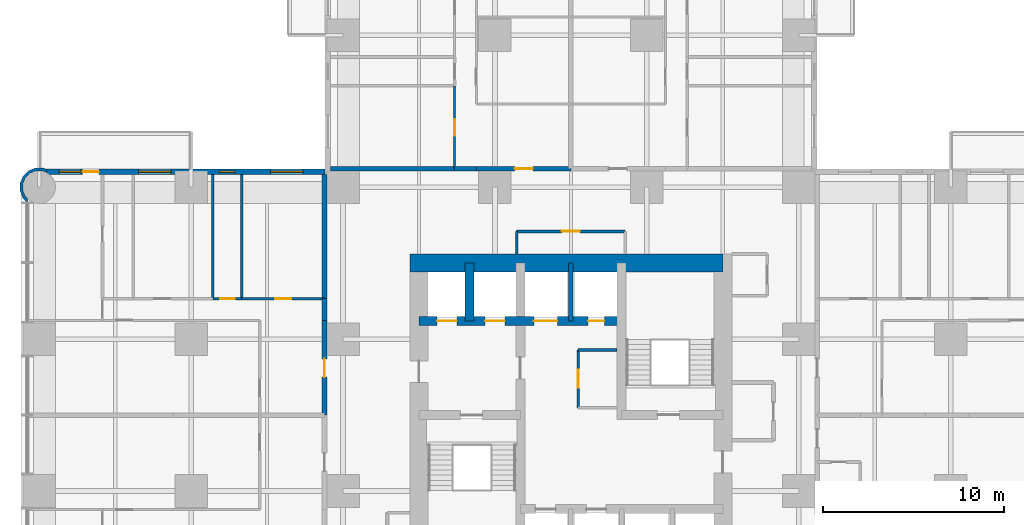
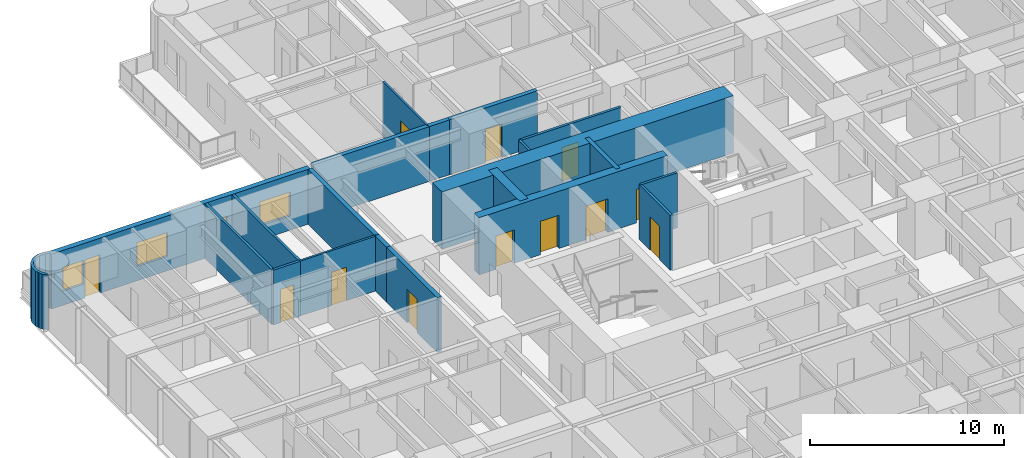
# One storey, part 12 of 17: 21 walls, 12 doors, 4 windows, 16 openings.
"""IFC4 building model written with IfcOpenShell, lengths in metres."""

from ifc_helpers import new_model, si_unit, direction, frame, frame_2d, origin, place, context, subcontext, project, spatial, polyline, rectangle, outline, extrude, material, layer, layer_set, type_object, element, fill, save


model = new_model("IFC4")

# Units and contexts
model_context = context("Model", 3, precision=1e-05, world=origin(), true_north=direction((0.0, 1.0)))
body_context = subcontext(model_context, "Body", "Model", "MODEL_VIEW")
ifc_project = project(units=[si_unit("LENGTHUNIT", "METRE"), si_unit("AREAUNIT", "SQUARE_METRE"), si_unit("VOLUMEUNIT", "CUBIC_METRE"), si_unit("PLANEANGLEUNIT", "RADIAN"), si_unit("MASSUNIT", "GRAM", prefix="KILO")], contexts=[model_context])

# Site, building, storey
site_placement = place(None, origin())
site = spatial("IfcSite", under=ifc_project, at=site_placement, CompositionType="ELEMENT")
building_placement = place(site_placement, origin())
building = spatial("IfcBuilding", under=site, at=building_placement, Name="Torre Alcanfor", CompositionType="ELEMENT")
storey_placement = place(building_placement, frame((0.0, 0.0, 56.10009765625)))
storey = spatial("IfcBuildingStorey", under=building, at=storey_placement, Name="L13", CompositionType="ELEMENT", Elevation=56.10009765625)

# Wall, opening, door
ifc_material_1 = material(Name="Concrete block masonry, hollow blocks NMX-C-404 9 MPa", Category="masonry")
ifc_layer_1 = layer(ifc_material_1, 0.25)
ifc_layer_set_1 = layer_set([ifc_layer_1], Name="Apartment entrance wall 250 EI 60")
wall_type_1 = type_object("IfcWallType", Name="Apartment entrance wall 250 EI 60", PredefinedType="PARTITIONING", material=ifc_layer_set_1)
wall_1_placement = place(storey_placement, frame((24.1708984375, 43.02490234375, 0.0), z_axis=(0.0, 0.0, 1.0), x_axis=(1.0, 0.0, 0.0)))
wall_1 = element("IfcWall", 1, at=wall_1_placement, inside=storey, type_object=wall_type_1, Name="Partition L13-CORR / L13-N1-ZAG", PredefinedType="PARTITIONING", context=body_context, shape_type="SweptSolid", body=[
    extrude(rectangle(XDim=5.22900390625, YDim=0.25, at=frame_2d((2.614501953125, 0.0))), origin(), (0.0, 0.0, 1.0), 3.449951171875),
])
opening_1_placement = place(wall_1_placement, frame((2.12890625, 0.0, 0.0)))
opening_1 = element("IfcOpeningElement", 2, at=opening_1_placement, cuts=wall_1, Name="Opening D-A1", PredefinedType="OPENING", context=body_context, shape_type="SweptSolid", body=[
    extrude(rectangle(XDim=1.0, YDim=2.10009765625, at=frame_2d((0.5, 1.050048828125))), frame((0.0, 0.135009765625, 0.0), z_axis=(0.0, -1.0, 0.0), x_axis=(1.0, 0.0, 0.0)), (0.0, 0.0, 1.0), 0.27001953125),
])
ifc_material_2 = material(Name="Galvanised steel sheet ASTM A653", Category="steel")
door_type_1 = type_object("IfcDoorType", Name="Apartment entrance door FD60 1000x2100", OperationType="SINGLE_SWING_LEFT", PredefinedType="DOOR", material=ifc_material_2)
door_1_placement = place(opening_1_placement, origin())
door_1 = element("IfcDoor", 3, at=door_1_placement, inside=storey, type_object=door_type_1, Name="Apartment entrance L13-N1", OperationType="SINGLE_SWING_RIGHT", OverallHeight=2.10009765625, OverallWidth=1.0, PredefinedType="DOOR", context=body_context, shape_type="SweptSolid", body=[
    extrude(rectangle(XDim=1.0, YDim=2.10009765625, at=frame_2d((0.5, 1.050048828125))), frame((0.0, 0.02490234375, 0.0), z_axis=(0.0, -1.0, 0.0), x_axis=(1.0, 0.0, 0.0)), (0.0, 0.0, 1.0), 0.050048828125),
])
fill(opening_1, door_1)

# Walls
wall_2_placement = place(storey_placement, frame((22.970947265625, 43.02490234375, 0.0), z_axis=(0.0, 0.0, 1.0), x_axis=(1.0, 0.0, 0.0)))
element("IfcWall", 4, at=wall_2_placement, inside=storey, type_object=wall_type_1, Name="Partition L13-CORR / L13-N1-HALL", PredefinedType="PARTITIONING", context=body_context, shape_type="SweptSolid", body=[
    extrude(rectangle(XDim=1.199951171875, YDim=0.25, at=frame_2d((0.60009765625, 0.0))), origin(), (0.0, 0.0, 1.0), 3.449951171875),
])
wall_3_placement = place(storey_placement, frame((16.10009765625, 43.02490234375, 0.0), z_axis=(0.0, 0.0, 1.0), x_axis=(1.0, 0.0, 0.0)))
element("IfcWall", 5, at=wall_3_placement, inside=storey, type_object=wall_type_1, Name="Partition L13-CORR / L13-N1-BED2", PredefinedType="PARTITIONING", context=body_context, shape_type="SweptSolid", body=[
    extrude(rectangle(XDim=6.870849609375, YDim=0.25, at=frame_2d((3.435546875, 0.0))), origin(), (0.0, 0.0, 1.0), 3.449951171875),
])

# Wall, opening, door
wall_4_placement = place(storey_placement, frame((15.77490234375, 29.39990234375, 0.0), z_axis=(0.0, 0.0, 1.0), x_axis=(0.0, 1.0, 0.0)))
wall_4 = element("IfcWall", 6, at=wall_4_placement, inside=storey, type_object=wall_type_1, Name="Partition L13-CORR / L13-W2-ZAG", PredefinedType="PARTITIONING", context=body_context, shape_type="SweptSolid", body=[
    extrude(rectangle(XDim=5.22900390625, YDim=0.25, at=frame_2d((2.614501953125, 0.0))), origin(), (0.0, 0.0, 1.0), 3.449951171875),
])
opening_2_placement = place(wall_4_placement, frame((2.10009765625, 0.0, 0.0)))
opening_2 = element("IfcOpeningElement", 7, at=opening_2_placement, cuts=wall_4, Name="Opening D-A1", PredefinedType="OPENING", context=body_context, shape_type="SweptSolid", body=[
    extrude(rectangle(XDim=1.0, YDim=2.10009765625, at=frame_2d((0.5, 1.050048828125))), frame((0.0, 0.135009765625, 0.0), z_axis=(0.0, -1.0, 0.0), x_axis=(1.0, 0.0, 0.0)), (0.0, 0.0, 1.0), 0.27001953125),
])
door_2_placement = place(opening_2_placement, origin())
door_2 = element("IfcDoor", 8, at=door_2_placement, inside=storey, type_object=door_type_1, Name="Apartment entrance L13-W2", OperationType="SINGLE_SWING_LEFT", OverallHeight=2.10009765625, OverallWidth=1.0, PredefinedType="DOOR", context=body_context, shape_type="SweptSolid", body=[
    extrude(rectangle(XDim=1.0, YDim=2.10009765625, at=frame_2d((0.5, 1.050048828125))), frame((0.0, 0.02490234375, 0.0), z_axis=(0.0, -1.0, 0.0), x_axis=(1.0, 0.0, 0.0)), (0.0, 0.0, 1.0), 0.050048828125),
])
fill(opening_2, door_2)

# Walls
wall_5_placement = place(storey_placement, frame((15.77490234375, 34.62890625, 0.0), z_axis=(0.0, 0.0, 1.0), x_axis=(0.0, 1.0, 0.0)))
element("IfcWall", 9, at=wall_5_placement, inside=storey, type_object=wall_type_1, Name="Partition L13-CORR / L13-W2-HALL", PredefinedType="PARTITIONING", context=body_context, shape_type="SweptSolid", body=[
    extrude(rectangle(XDim=1.2001953125, YDim=0.25, at=frame_2d((0.60009765625, 0.0))), origin(), (0.0, 0.0, 1.0), 3.449951171875),
])
wall_6_placement = place(storey_placement, frame((15.77490234375, 35.8291015625, 0.0), z_axis=(0.0, 0.0, 1.0), x_axis=(0.0, 1.0, 0.0)))
element("IfcWall", 10, at=wall_6_placement, inside=storey, type_object=wall_type_1, Name="Partition L13-CORR / L13-W2-BED3", PredefinedType="PARTITIONING", context=body_context, shape_type="SweptSolid", body=[
    extrude(rectangle(XDim=6.870849609375, YDim=0.25, at=frame_2d((3.435546875, 0.0))), origin(), (0.0, 0.0, 1.0), 3.449951171875),
])

# Wall, opening, door
ifc_material_3 = material(Name="Gypsum board on steel studs", Category="steel")
ifc_layer_2 = layer(ifc_material_3, 0.1201171875)
ifc_layer_set_2 = layer_set([ifc_layer_2], Name="Apartment partition 120")
wall_type_2 = type_object("IfcWallType", Name="Apartment partition 120", PredefinedType="PARTITIONING", material=ifc_layer_set_2)
wall_7_placement = place(storey_placement, frame((22.970947265625, 47.60009765625, 0.0), z_axis=(0.0, 0.0, 1.0), x_axis=(0.0, -1.0, 0.0)))
wall_7 = element("IfcWall", 11, at=wall_7_placement, inside=storey, type_object=wall_type_2, Name="Partition L13-N1-HALL / L13-N1-BED2", PredefinedType="PARTITIONING", context=body_context, shape_type="SweptSolid", body=[
    extrude(rectangle(XDim=4.5751953125, YDim=0.1201171875, at=frame_2d((2.28759765625, 0.0))), origin(), (0.0, 0.0, 1.0), 3.449951171875),
])
opening_3_placement = place(wall_7_placement, frame((1.85009765625, 0.0, 0.0)))
opening_3 = element("IfcOpeningElement", 12, at=opening_3_placement, cuts=wall_7, Name="Opening D-R1", PredefinedType="OPENING", context=body_context, shape_type="SweptSolid", body=[
    extrude(rectangle(XDim=0.89990234375, YDim=2.10009765625, at=frame_2d((0.449951171875, 1.050048828125))), frame((0.0, 0.070068359375, 0.0), z_axis=(0.0, -1.0, 0.0), x_axis=(1.0, 0.0, 0.0)), (0.0, 0.0, 1.0), 0.14013671875),
])
ifc_material_4 = material(Name="Timber", Category="wood")
door_type_2 = type_object("IfcDoorType", Name="Internal door 900x2100", OperationType="SINGLE_SWING_LEFT", PredefinedType="DOOR", material=ifc_material_4)
door_3_placement = place(opening_3_placement, frame((0.89990234375, 0.0, 0.0), z_axis=(0.0, 0.0, 1.0), x_axis=(-1.0, 0.0, 0.0)))
door_3 = element("IfcDoor", 13, at=door_3_placement, inside=storey, type_object=door_type_2, Name="Door L13-N1 bed2", OperationType="SINGLE_SWING_LEFT", OverallHeight=2.10009765625, OverallWidth=0.89990234375, PredefinedType="DOOR", context=body_context, shape_type="SweptSolid", body=[
    extrude(rectangle(XDim=0.89990234375, YDim=2.10009765625, at=frame_2d((0.449951171875, 1.050048828125))), frame((0.0, 0.025146484375, 0.0), z_axis=(0.0, -1.0, 0.0), x_axis=(1.0, 0.0, 0.0)), (0.0, 0.0, 1.0), 0.050048828125),
])
fill(opening_3, door_3)

wall_8_placement = place(storey_placement, frame((11.199951171875, 35.8291015625, 0.0), z_axis=(0.0, 0.0, 1.0), x_axis=(1.0, 0.0, 0.0)))
wall_8 = element("IfcWall", 14, at=wall_8_placement, inside=storey, type_object=wall_type_2, Name="Partition L13-W2-HALL / L13-W2-BED3", PredefinedType="PARTITIONING", context=body_context, shape_type="SweptSolid", body=[
    extrude(rectangle(XDim=4.574951171875, YDim=0.1201171875, at=frame_2d((2.28759765625, 0.0))), origin(), (0.0, 0.0, 1.0), 3.449951171875),
])
opening_4_placement = place(wall_8_placement, frame((1.85009765625, 0.0, 0.0)))
opening_4 = element("IfcOpeningElement", 15, at=opening_4_placement, cuts=wall_8, Name="Opening D-R1", PredefinedType="OPENING", context=body_context, shape_type="SweptSolid", body=[
    extrude(rectangle(XDim=0.89990234375, YDim=2.10009765625, at=frame_2d((0.449951171875, 1.050048828125))), frame((0.0, 0.070068359375, 0.0), z_axis=(0.0, -1.0, 0.0), x_axis=(1.0, 0.0, 0.0)), (0.0, 0.0, 1.0), 0.14013671875),
])
door_4_placement = place(opening_4_placement, origin())
door_4 = element("IfcDoor", 16, at=door_4_placement, inside=storey, type_object=door_type_2, Name="Door L13-W2 bed3", OperationType="SINGLE_SWING_RIGHT", OverallHeight=2.10009765625, OverallWidth=0.89990234375, PredefinedType="DOOR", context=body_context, shape_type="SweptSolid", body=[
    extrude(rectangle(XDim=0.89990234375, YDim=2.10009765625, at=frame_2d((0.449951171875, 1.050048828125))), frame((0.0, 0.02490234375, 0.0), z_axis=(0.0, -1.0, 0.0), x_axis=(1.0, 0.0, 0.0)), (0.0, 0.0, 1.0), 0.050048828125),
])
fill(opening_4, door_4)

# Wall, openings, doors
ifc_material_5 = material(Name="Concrete f'c 70 MPa", Category="concrete")
ifc_layer_3 = layer(ifc_material_5, 0.5)
ifc_layer_set_3 = layer_set([ifc_layer_3], Name="Core inner wall 500 f'c70")
wall_type_3 = type_object("IfcWallType", Name="Core inner wall 500 f'c70", PredefinedType="SHEAR", material=ifc_layer_set_3)
wall_9_placement = place(storey_placement, frame((21.0, 34.60009765625, 0.0), z_axis=(0.0, 0.0, 1.0), x_axis=(1.0, 0.0, 0.0)))
wall_9 = element("IfcWall", 17, at=wall_9_placement, inside=storey, type_object=wall_type_3, Name="Core wall Y346 L13", PredefinedType="SHEAR", context=body_context, shape_type="SweptSolid", body=[
    extrude(rectangle(XDim=11.199951171875, YDim=0.5, at=frame_2d((5.60009765625, 0.0))), origin(), (0.0, 0.0, 1.0), 3.599853515625),
])
opening_5_placement = place(wall_9_placement, frame((9.35009765625, 0.0, 0.0)))
opening_5 = element("IfcOpeningElement", 18, at=opening_5_placement, cuts=wall_9, Name="Opening D-Q1", PredefinedType="OPENING", context=body_context, shape_type="SweptSolid", body=[
    extrude(rectangle(XDim=0.89990234375, YDim=2.10009765625, at=frame_2d((0.449951171875, 1.050048828125))), frame((0.0, 0.260009765625, 0.0), z_axis=(0.0, -1.0, 0.0), x_axis=(1.0, 0.0, 0.0)), (0.0, 0.0, 1.0), 0.52001953125),
])
opening_6_placement = place(wall_9_placement, frame((1.0, 0.0, 0.0)))
opening_6 = element("IfcOpeningElement", 19, at=opening_6_placement, cuts=wall_9, Name="Opening LD2", PredefinedType="OPENING", context=body_context, shape_type="SweptSolid", body=[
    extrude(rectangle(XDim=1.10009765625, YDim=2.10009765625, at=frame_2d((0.550048828125, 1.050048828125))), frame((0.0, 0.260009765625, 0.0), z_axis=(0.0, -1.0, 0.0), x_axis=(1.0, 0.0, 0.0)), (0.0, 0.0, 1.0), 0.52001953125),
])
opening_7_placement = place(wall_9_placement, frame((3.64990234375, 0.0, 0.0)))
opening_7 = element("IfcOpeningElement", 20, at=opening_7_placement, cuts=wall_9, Name="Opening LD2", PredefinedType="OPENING", context=body_context, shape_type="SweptSolid", body=[
    extrude(rectangle(XDim=1.10009765625, YDim=2.10009765625, at=frame_2d((0.550048828125, 1.050048828125))), frame((0.0, 0.260009765625, 0.0), z_axis=(0.0, -1.0, 0.0), x_axis=(1.0, 0.0, 0.0)), (0.0, 0.0, 1.0), 0.52001953125),
])
opening_8_placement = place(wall_9_placement, frame((6.35009765625, 0.0, 0.0)))
opening_8 = element("IfcOpeningElement", 21, at=opening_8_placement, cuts=wall_9, Name="Opening LD3", PredefinedType="OPENING", context=body_context, shape_type="SweptSolid", body=[
    extrude(rectangle(XDim=1.300048828125, YDim=2.10009765625, at=frame_2d((0.64990234375, 1.050048828125))), frame((0.0, 0.260009765625, 0.0), z_axis=(0.0, -1.0, 0.0), x_axis=(1.0, 0.0, 0.0)), (0.0, 0.0, 1.0), 0.52001953125),
])
ifc_material_6 = material(Name="Galvanised steel sheet ASTM A653", Category="steel")
door_type_3 = type_object("IfcDoorType", Name="Firefighting lift landing door 1100x2100", OperationType="DOUBLE_DOOR_SLIDING", PredefinedType="DOOR", material=ifc_material_6)
door_5_placement = place(opening_6_placement, origin())
door_5 = element("IfcDoor", 22, at=door_5_placement, inside=storey, type_object=door_type_3, Name="Lift landing door FL1 L13", OperationType="DOUBLE_DOOR_SLIDING", OverallHeight=2.10009765625, OverallWidth=1.10009765625, PredefinedType="DOOR", context=body_context, shape_type="SweptSolid", body=[
    extrude(rectangle(XDim=1.10009765625, YDim=2.10009765625, at=frame_2d((0.550048828125, 1.050048828125))), frame((0.0, 0.02490234375, 0.0), z_axis=(0.0, -1.0, 0.0), x_axis=(1.0, 0.0, 0.0)), (0.0, 0.0, 1.0), 0.050048828125),
])
fill(opening_6, door_5)
door_6_placement = place(opening_7_placement, origin())
door_6 = element("IfcDoor", 23, at=door_6_placement, inside=storey, type_object=door_type_3, Name="Lift landing door FL2 L13", OperationType="DOUBLE_DOOR_SLIDING", OverallHeight=2.10009765625, OverallWidth=1.10009765625, PredefinedType="DOOR", context=body_context, shape_type="SweptSolid", body=[
    extrude(rectangle(XDim=1.10009765625, YDim=2.10009765625, at=frame_2d((0.550048828125, 1.050048828125))), frame((0.0, 0.02490234375, 0.0), z_axis=(0.0, -1.0, 0.0), x_axis=(1.0, 0.0, 0.0)), (0.0, 0.0, 1.0), 0.050048828125),
])
fill(opening_7, door_6)
ifc_material_7 = material(Name="Galvanised steel sheet ASTM A653", Category="steel")
door_type_4 = type_object("IfcDoorType", Name="Riser access door FD120 900x2100", OperationType="SINGLE_SWING_LEFT", PredefinedType="DOOR", material=ifc_material_7)
door_7_placement = place(opening_5_placement, origin())
door_7 = element("IfcDoor", 24, at=door_7_placement, inside=storey, type_object=door_type_4, Name="Riser door L13", OperationType="SINGLE_SWING_LEFT", OverallHeight=2.10009765625, OverallWidth=0.89990234375, PredefinedType="DOOR", context=body_context, shape_type="SweptSolid", body=[
    extrude(rectangle(XDim=0.89990234375, YDim=2.10009765625, at=frame_2d((0.449951171875, 1.050048828125))), frame((0.0, 0.02490234375, 0.0), z_axis=(0.0, -1.0, 0.0), x_axis=(1.0, 0.0, 0.0)), (0.0, 0.0, 1.0), 0.050048828125),
])
fill(opening_5, door_7)
ifc_material_8 = material(Name="Galvanised steel sheet ASTM A653", Category="steel")
door_type_5 = type_object("IfcDoorType", Name="Service lift landing door 1300x2100", OperationType="DOUBLE_DOOR_SLIDING", PredefinedType="DOOR", material=ifc_material_8)
door_8_placement = place(opening_8_placement, origin())
door_8 = element("IfcDoor", 25, at=door_8_placement, inside=storey, type_object=door_type_5, Name="Lift landing door SL1 L13", OperationType="DOUBLE_DOOR_SLIDING", OverallHeight=2.10009765625, OverallWidth=1.300048828125, PredefinedType="DOOR", context=body_context, shape_type="SweptSolid", body=[
    extrude(rectangle(XDim=1.300048828125, YDim=2.10009765625, at=frame_2d((0.64990234375, 1.050048828125))), frame((0.0, 0.02490234375, 0.0), z_axis=(0.0, -1.0, 0.0), x_axis=(1.0, 0.0, 0.0)), (0.0, 0.0, 1.0), 0.050048828125),
])
fill(opening_8, door_8)

# Walls
wall_10_placement = place(storey_placement, frame((23.800048828125, 34.60009765625, 0.0), z_axis=(0.0, 0.0, 1.0), x_axis=(0.0, 1.0, 0.0)))
element("IfcWall", 26, at=wall_10_placement, inside=storey, type_object=wall_type_3, Name="Core wall X238 L13", PredefinedType="SHEAR", context=body_context, shape_type="SweptSolid", body=[
    extrude(rectangle(XDim=3.199951171875, YDim=0.5, at=frame_2d((1.60009765625, 0.0))), origin(), (0.0, 0.0, 1.0), 3.599853515625),
])
ifc_material_9 = material(Name="Concrete f'c 70 MPa", Category="concrete")
ifc_layer_4 = layer(ifc_material_9, 0.25)
ifc_layer_set_4 = layer_set([ifc_layer_4], Name="Core shaft wall 250 f'c70")
wall_type_4 = type_object("IfcWallType", Name="Core shaft wall 250 f'c70", PredefinedType="SHEAR", material=ifc_layer_set_4)
wall_11_placement = place(storey_placement, frame((29.39990234375, 34.60009765625, 0.0), z_axis=(0.0, 0.0, 1.0), x_axis=(0.0, 1.0, 0.0)))
element("IfcWall", 27, at=wall_11_placement, inside=storey, type_object=wall_type_4, Name="Core wall X294N L13", PredefinedType="SHEAR", context=body_context, shape_type="SweptSolid", body=[
    extrude(rectangle(XDim=3.199951171875, YDim=0.25, at=frame_2d((1.60009765625, 0.0))), origin(), (0.0, 0.0, 1.0), 3.599853515625),
])
ifc_material_10 = material(Name="Concrete f'c 70 MPa", Category="concrete")
ifc_layer_5 = layer(ifc_material_10, 1.0)
ifc_layer_set_5 = layer_set([ifc_layer_5], Name="Core wall 1000 f'c70")
wall_type_5 = type_object("IfcWallType", Name="Core wall 1000 f'c70", PredefinedType="SHEAR", material=ifc_layer_set_5)
wall_12_placement = place(storey_placement, frame((37.800048828125, 37.800048828125, 0.0), z_axis=(0.0, 0.0, 1.0), x_axis=(-1.0, 0.0, 0.0)))
element("IfcWall", 28, at=wall_12_placement, inside=storey, type_object=wall_type_5, Name="Core wall OUT-N L13", PredefinedType="SHEAR", context=body_context, shape_type="SweptSolid", body=[
    extrude(rectangle(XDim=17.300048828125, YDim=1.0, at=frame_2d((8.64990234375, 0.0))), origin(), (0.0, 0.0, 1.0), 3.599853515625),
])

# Wall, openings, door, windows
ifc_material_11 = material(Name="Limestone cladding", Category="masonry")
ifc_layer_6 = layer(ifc_material_11, 0.0400390625, Name="Facing")
ifc_material_12 = material(Name="Ventilated air cavity")
ifc_layer_7 = layer(ifc_material_12, 0.02001953125, ventilated=True, Name="Ventilated joint")
ifc_material_13 = material(Name="Mineral wool insulation", Category="insulation")
ifc_layer_8 = layer(ifc_material_13, 0.10009765625, Name="Insulation")
ifc_material_14 = material(Name="Concrete f'c 35 MPa", Category="concrete")
ifc_layer_9 = layer(ifc_material_14, 0.139892578125, Name="Backing")
ifc_layer_set_6 = layer_set([ifc_layer_6, ifc_layer_7, ifc_layer_8, ifc_layer_9], Name="External wall stone-clad 300")
wall_type_6 = type_object("IfcWallType", Name="External wall stone-clad 300", PredefinedType="SOLIDWALL", material=ifc_layer_set_6)
wall_13_placement = place(storey_placement, frame((15.800048828125, 42.85009765625, 0.0), z_axis=(0.0, 0.0, 1.0), x_axis=(-1.0, 0.0, 0.0)))
wall_13 = element("IfcWall", 29, at=wall_13_placement, inside=storey, type_object=wall_type_6, Name="External wall L13 1", PredefinedType="SOLIDWALL", context=body_context, shape_type="SweptSolid", body=[
    extrude(rectangle(XDim=15.400146484375, YDim=0.300048828125, at=frame_2d((7.7001953125, 0.0))), origin(), (0.0, 0.0, 1.0), 3.449951171875),
])
opening_9_placement = place(wall_13_placement, frame((1.199951171875, 0.0, 0.89990234375)))
opening_9 = element("IfcOpeningElement", 30, at=opening_9_placement, cuts=wall_13, Name="Opening W2", PredefinedType="OPENING", context=body_context, shape_type="SweptSolid", body=[
    extrude(rectangle(XDim=1.800048828125, YDim=1.5, at=frame_2d((0.89990234375, 0.75))), frame((0.0, 0.159912109375, 0.0), z_axis=(0.0, -1.0, 0.0), x_axis=(1.0, 0.0, 0.0)), (0.0, 0.0, 1.0), 0.320068359375),
])
opening_10_placement = place(wall_13_placement, frame((4.949951171875, 0.0, 1.5)))
opening_10 = element("IfcOpeningElement", 31, at=opening_10_placement, cuts=wall_13, Name="Opening W3", PredefinedType="OPENING", context=body_context, shape_type="SweptSolid", body=[
    extrude(rectangle(XDim=0.89990234375, YDim=0.699951171875, at=frame_2d((0.449951171875, 0.35009765625))), frame((0.0, 0.159912109375, 0.0), z_axis=(0.0, -1.0, 0.0), x_axis=(1.0, 0.0, 0.0)), (0.0, 0.0, 1.0), 0.320068359375),
])
opening_11_placement = place(wall_13_placement, frame((8.5, 0.0, 0.89990234375)))
opening_11 = element("IfcOpeningElement", 32, at=opening_11_placement, cuts=wall_13, Name="Opening W2", PredefinedType="OPENING", context=body_context, shape_type="SweptSolid", body=[
    extrude(rectangle(XDim=1.800048828125, YDim=1.5, at=frame_2d((0.89990234375, 0.75))), frame((0.0, 0.159912109375, 0.0), z_axis=(0.0, -1.0, 0.0), x_axis=(1.0, 0.0, 0.0)), (0.0, 0.0, 1.0), 0.320068359375),
])
opening_12_placement = place(wall_13_placement, frame((12.5, 0.0, 0.0)))
opening_12 = element("IfcOpeningElement", 33, at=opening_12_placement, cuts=wall_13, Name="Opening D-B1", PredefinedType="OPENING", context=body_context, shape_type="SweptSolid", body=[
    extrude(rectangle(XDim=0.89990234375, YDim=2.39990234375, at=frame_2d((0.449951171875, 1.199951171875))), frame((0.0, 0.159912109375, 0.0), z_axis=(0.0, -1.0, 0.0), x_axis=(1.0, 0.0, 0.0)), (0.0, 0.0, 1.0), 0.320068359375),
])
opening_13_placement = place(wall_13_placement, frame((13.5, 0.0, 0.89990234375)))
opening_13 = element("IfcOpeningElement", 34, at=opening_13_placement, cuts=wall_13, Name="Opening W4", PredefinedType="OPENING", context=body_context, shape_type="SweptSolid", body=[
    extrude(rectangle(XDim=1.199951171875, YDim=1.5, at=frame_2d((0.60009765625, 0.75))), frame((0.0, 0.159912109375, 0.0), z_axis=(0.0, -1.0, 0.0), x_axis=(1.0, 0.0, 0.0)), (0.0, 0.0, 1.0), 0.320068359375),
])
ifc_material_15 = material(Name="Aluminium and glass", Category="aluminium")
door_type_6 = type_object("IfcDoorType", Name="Balcony door glazed 900x2400", OperationType="SINGLE_SWING_LEFT", PredefinedType="DOOR", material=ifc_material_15)
door_9_placement = place(opening_12_placement, origin())
door_9 = element("IfcDoor", 35, at=door_9_placement, inside=storey, type_object=door_type_6, Name="Balcony door L13-W2", OperationType="SINGLE_SWING_LEFT", OverallHeight=2.39990234375, OverallWidth=0.89990234375, PredefinedType="DOOR", context=body_context, shape_type="SweptSolid", body=[
    extrude(rectangle(XDim=0.89990234375, YDim=2.39990234375, at=frame_2d((0.449951171875, 1.199951171875))), frame((0.0, 0.02490234375, 0.0), z_axis=(0.0, -1.0, 0.0), x_axis=(1.0, 0.0, 0.0)), (0.0, 0.0, 1.0), 0.050048828125),
])
fill(opening_12, door_9)
ifc_material_16 = material(Name="Aluminium frame with clear double glazing", Category="aluminium")
window_type_1 = type_object("IfcWindowType", Name="Window bathroom 900x700", PartitioningType="SINGLE_PANEL", PredefinedType="WINDOW", material=ifc_material_16)
window_1_placement = place(opening_10_placement, origin())
window_1 = element("IfcWindow", 36, at=window_1_placement, inside=storey, type_object=window_type_1, Name="Window W3 L13-W2", OverallHeight=0.699951171875, OverallWidth=0.89990234375, PartitioningType="SINGLE_PANEL", PredefinedType="WINDOW", context=body_context, shape_type="SweptSolid", body=[
    extrude(rectangle(XDim=0.89990234375, YDim=0.699951171875, at=frame_2d((0.449951171875, 0.35009765625))), frame((0.0, 0.030029296875, 0.0), z_axis=(0.0, -1.0, 0.0), x_axis=(1.0, 0.0, 0.0)), (0.0, 0.0, 1.0), 0.06005859375),
])
fill(opening_10, window_1)
ifc_material_17 = material(Name="Aluminium frame with clear double glazing", Category="aluminium")
window_type_2 = type_object("IfcWindowType", Name="Window bedroom 1200x1500", PartitioningType="SINGLE_PANEL", PredefinedType="WINDOW", material=ifc_material_17)
window_2_placement = place(opening_13_placement, origin())
window_2 = element("IfcWindow", 37, at=window_2_placement, inside=storey, type_object=window_type_2, Name="Window W4 L13-W2", OverallHeight=1.5, OverallWidth=1.199951171875, PartitioningType="SINGLE_PANEL", PredefinedType="WINDOW", context=body_context, shape_type="SweptSolid", body=[
    extrude(rectangle(XDim=1.199951171875, YDim=1.5, at=frame_2d((0.60009765625, 0.75))), frame((0.0, 0.030029296875, 0.0), z_axis=(0.0, -1.0, 0.0), x_axis=(1.0, 0.0, 0.0)), (0.0, 0.0, 1.0), 0.06005859375),
])
fill(opening_13, window_2)
ifc_material_18 = material(Name="Aluminium frame with clear double glazing", Category="aluminium")
window_type_3 = type_object("IfcWindowType", Name="Window bedroom 1800x1500", PartitioningType="SINGLE_PANEL", PredefinedType="WINDOW", material=ifc_material_18)
window_3_placement = place(opening_9_placement, origin())
window_3 = element("IfcWindow", 38, at=window_3_placement, inside=storey, type_object=window_type_3, Name="Window W2 L13-W2", OverallHeight=1.5, OverallWidth=1.800048828125, PartitioningType="SINGLE_PANEL", PredefinedType="WINDOW", context=body_context, shape_type="SweptSolid", body=[
    extrude(rectangle(XDim=1.800048828125, YDim=1.5, at=frame_2d((0.89990234375, 0.75))), frame((0.0, 0.030029296875, 0.0), z_axis=(0.0, -1.0, 0.0), x_axis=(1.0, 0.0, 0.0)), (0.0, 0.0, 1.0), 0.06005859375),
])
fill(opening_9, window_3)
window_4_placement = place(opening_11_placement, origin())
window_4 = element("IfcWindow", 39, at=window_4_placement, inside=storey, type_object=window_type_3, Name="Window W2 L13-W2", OverallHeight=1.5, OverallWidth=1.800048828125, PartitioningType="SINGLE_PANEL", PredefinedType="WINDOW", context=body_context, shape_type="SweptSolid", body=[
    extrude(rectangle(XDim=1.800048828125, YDim=1.5, at=frame_2d((0.89990234375, 0.75))), frame((0.0, 0.030029296875, 0.0), z_axis=(0.0, -1.0, 0.0), x_axis=(1.0, 0.0, 0.0)), (0.0, 0.0, 1.0), 0.06005859375),
])
fill(opening_11, window_4)

# Wall, opening, door
ifc_material_19 = material(Name="Concrete block masonry, hollow blocks NMX-C-404 9 MPa", Category="masonry")
ifc_layer_10 = layer(ifc_material_19, 0.14990234375)
ifc_layer_set_7 = layer_set([ifc_layer_10], Name="Residents' room partition 150")
wall_type_7 = type_object("IfcWallType", Name="Residents' room partition 150", PredefinedType="PARTITIONING", material=ifc_layer_set_7)
wall_14_placement = place(storey_placement, frame((32.39990234375, 39.550048828125, 0.0), z_axis=(0.0, 0.0, 1.0), x_axis=(-1.0, 0.0, 0.0)))
wall_14 = element("IfcWall", 40, at=wall_14_placement, inside=storey, type_object=wall_type_7, Name="Partition L13-CORR / L13-G01", PredefinedType="PARTITIONING", context=body_context, shape_type="SweptSolid", body=[
    extrude(rectangle(XDim=6.0, YDim=0.14990234375, at=frame_2d((3.0, 0.0))), origin(), (0.0, 0.0, 1.0), 3.449951171875),
])
opening_14_placement = place(wall_14_placement, frame((2.5, 0.0, 0.0)))
opening_14 = element("IfcOpeningElement", 41, at=opening_14_placement, cuts=wall_14, Name="Opening D-M1", PredefinedType="OPENING", context=body_context, shape_type="SweptSolid", body=[
    extrude(rectangle(XDim=1.0, YDim=2.10009765625, at=frame_2d((0.5, 1.050048828125))), frame((0.0, 0.0849609375, 0.0), z_axis=(0.0, -1.0, 0.0), x_axis=(1.0, 0.0, 0.0)), (0.0, 0.0, 1.0), 0.169921875),
])
ifc_material_20 = material(Name="Timber", Category="wood")
door_type_7 = type_object("IfcDoorType", Name="Residents' room door 1000x2100", OperationType="SINGLE_SWING_LEFT", PredefinedType="DOOR", material=ifc_material_20)
door_10_placement = place(opening_14_placement, origin())
door_10 = element("IfcDoor", 42, at=door_10_placement, inside=storey, type_object=door_type_7, Name="Door L13-G01 bicycle store", OperationType="SINGLE_SWING_LEFT", OverallHeight=2.10009765625, OverallWidth=1.0, PredefinedType="DOOR", context=body_context, shape_type="SweptSolid", body=[
    extrude(rectangle(XDim=1.0, YDim=2.10009765625, at=frame_2d((0.5, 1.050048828125))), frame((0.0, 0.02490234375, 0.0), z_axis=(0.0, -1.0, 0.0), x_axis=(1.0, 0.0, 0.0)), (0.0, 0.0, 1.0), 0.050048828125),
])
fill(opening_14, door_10)

# Wall
wall_15_placement = place(storey_placement, frame((26.39990234375, 39.550048828125, 0.0), z_axis=(0.0, 0.0, 1.0), x_axis=(0.0, -1.0, 0.0)))
element("IfcWall", 43, at=wall_15_placement, inside=storey, type_object=wall_type_7, Name="Partition L13-CORR / L13-G01", PredefinedType="PARTITIONING", context=body_context, shape_type="SweptSolid", body=[
    extrude(rectangle(XDim=1.25, YDim=0.14990234375, at=frame_2d((0.625, 0.0))), origin(), (0.0, 0.0, 1.0), 3.449951171875),
])

# Wall, opening, door
wall_16_placement = place(storey_placement, frame((29.800048828125, 29.800048828125, 0.0), z_axis=(0.0, 0.0, 1.0), x_axis=(0.0, 1.0, 0.0)))
wall_16 = element("IfcWall", 44, at=wall_16_placement, inside=storey, type_object=wall_type_7, Name="Partition L13-LL / L13-CR1", PredefinedType="PARTITIONING", context=body_context, shape_type="SweptSolid", body=[
    extrude(rectangle(XDim=3.199951171875, YDim=0.14990234375, at=frame_2d((1.60009765625, 0.0))), origin(), (0.0, 0.0, 1.0), 3.449951171875),
])
opening_15_placement = place(wall_16_placement, frame((1.10009765625, 0.0, 0.0)))
opening_15 = element("IfcOpeningElement", 45, at=opening_15_placement, cuts=wall_16, Name="Opening D-M1", PredefinedType="OPENING", context=body_context, shape_type="SweptSolid", body=[
    extrude(rectangle(XDim=1.0, YDim=2.10009765625, at=frame_2d((0.5, 1.050048828125))), frame((0.0, 0.0849609375, 0.0), z_axis=(0.0, -1.0, 0.0), x_axis=(1.0, 0.0, 0.0)), (0.0, 0.0, 1.0), 0.169921875),
])
door_11_placement = place(opening_15_placement, frame((1.0, 0.0, 0.0), z_axis=(0.0, 0.0, 1.0), x_axis=(-1.0, 0.0, 0.0)))
door_11 = element("IfcDoor", 46, at=door_11_placement, inside=storey, type_object=door_type_7, Name="Residents' parcel room door L13", OperationType="SINGLE_SWING_RIGHT", OverallHeight=2.10009765625, OverallWidth=1.0, PredefinedType="DOOR", context=body_context, shape_type="SweptSolid", body=[
    extrude(rectangle(XDim=1.0, YDim=2.10009765625, at=frame_2d((0.5, 1.050048828125))), frame((0.0, 0.025146484375, 0.0), z_axis=(0.0, -1.0, 0.0), x_axis=(1.0, 0.0, 0.0)), (0.0, 0.0, 1.0), 0.050048828125),
])
fill(opening_15, door_11)

# Walls
wall_17_placement = place(storey_placement, frame((29.800048828125, 33.0, 0.0), z_axis=(0.0, 0.0, 1.0), x_axis=(1.0, 0.0, 0.0)))
element("IfcWall", 47, at=wall_17_placement, inside=storey, type_object=wall_type_7, Name="Partition L13-LL / L13-CR1", PredefinedType="PARTITIONING", context=body_context, shape_type="SweptSolid", body=[
    extrude(rectangle(XDim=2.14990234375, YDim=0.14990234375, at=frame_2d((1.074951171875, 0.0))), origin(), (0.0, 0.0, 1.0), 3.449951171875),
])
ifc_layer_11 = layer(ifc_material_11, 0.0400390625, Name="Facing")
ifc_layer_12 = layer(ifc_material_12, 0.02001953125, ventilated=True, Name="Ventilated joint")
ifc_layer_13 = layer(ifc_material_13, 0.10009765625, Name="Insulation")
ifc_layer_14 = layer(ifc_material_14, 0.139892578125, Name="Backing")
ifc_layer_set_8 = layer_set([ifc_layer_11, ifc_layer_12, ifc_layer_13, ifc_layer_14], Name="Rounded corner pier stone-clad 300")
wall_type_8 = type_object("IfcWallType", Name="Rounded corner pier stone-clad 300", PredefinedType="SOLIDWALL", material=ifc_layer_set_8)
wall_18_placement = place(storey_placement, frame((0.363962863, 42.909907157, 0.0), z_axis=(0.0, 0.0, 1.0), x_axis=(-0.926129809145, 0.377204953059, 0.0)))
element("IfcWall", 48, at=wall_18_placement, inside=storey, type_object=wall_type_8, Name="Corner pier L13 13", PredefinedType="SOLIDWALL", context=body_context, shape_type="SweptSolid", body=[
    extrude(outline(polyline([(0.36027248147905344, 1.8032799323574271), (0.5087783723473315, 1.740921099842025), (0.7605913470133172, 1.4857584601095954), (0.8957810128069955, 1.1538349835897281), (0.8939031559639274, 0.7953461823991875), (0.7547957339381889, 0.4650577343600455), (0.4996330942057594, 0.21324475969405968), (0.1677096176858921, 0.07805509390038129), (-0.09992182078970525, 0.07950523369113624), (0.0006988421670046999, -0.09699421764222865), (0.0300177129428464, -0.08030783699434613), (0.19858532179107968, -0.08124570553990346), (0.5888441232034033, 0.0777034519259609), (0.8888369702307105, 0.374136779300854), (1.052603126025944, 0.7629734686109036), (1.0550818122472803, 1.1847106876949156), (0.8961326547814159, 1.5749694891072394), (0.7776866026168303, 1.6949130219751851), (0.7691400347446393, 1.7275471706587737), (0.7502646662372825, 1.7227591424871238), (0.599699327406523, 1.8749623361345464), (0.2945484394782597, 2.0034825844222954), (0.2809820848521072, 1.9979571212427172), (0.36027248147905344, 1.8032799323574271)])), origin(), (0.0, 0.0, 1.0), 3.449951171875),
])

# Wall, opening, door
ifc_material_21 = material(Name="Cement board on steel studs", Category="steel")
ifc_layer_15 = layer(ifc_material_21, 0.14990234375)
ifc_layer_set_9 = layer_set([ifc_layer_15], Name="Wet area partition 150")
wall_type_9 = type_object("IfcWallType", Name="Wet area partition 150", PredefinedType="PARTITIONING", material=ifc_layer_set_9)
wall_19_placement = place(storey_placement, frame((9.60009765625, 35.8291015625, 0.0), z_axis=(0.0, 0.0, 1.0), x_axis=(1.0, 0.0, 0.0)))
wall_19 = element("IfcWall", 49, at=wall_19_placement, inside=storey, type_object=wall_type_9, Name="Partition L13-W2-HALL / L13-W2-BATH1", PredefinedType="PARTITIONING", context=body_context, shape_type="SweptSolid", body=[
    extrude(rectangle(XDim=1.599853515625, YDim=0.14990234375, at=frame_2d((0.7998046875, 0.0))), origin(), (0.0, 0.0, 1.0), 3.449951171875),
])
opening_16_placement = place(wall_19_placement, frame((0.39990234375, 0.0, 0.0)))
opening_16 = element("IfcOpeningElement", 50, at=opening_16_placement, cuts=wall_19, Name="Opening D-R2", PredefinedType="OPENING", context=body_context, shape_type="SweptSolid", body=[
    extrude(rectangle(XDim=0.800048828125, YDim=2.10009765625, at=frame_2d((0.39990234375, 1.050048828125))), frame((0.0, 0.0849609375, 0.0), z_axis=(0.0, -1.0, 0.0), x_axis=(1.0, 0.0, 0.0)), (0.0, 0.0, 1.0), 0.169921875),
])
ifc_material_22 = material(Name="Timber", Category="wood")
door_type_8 = type_object("IfcDoorType", Name="Bathroom door 800x2100", OperationType="SINGLE_SWING_LEFT", PredefinedType="DOOR", material=ifc_material_22)
door_12_placement = place(opening_16_placement, origin())
door_12 = element("IfcDoor", 51, at=door_12_placement, inside=storey, type_object=door_type_8, Name="Door L13-W2 bath1", OperationType="SINGLE_SWING_LEFT", OverallHeight=2.10009765625, OverallWidth=0.800048828125, PredefinedType="DOOR", context=body_context, shape_type="SweptSolid", body=[
    extrude(rectangle(XDim=0.800048828125, YDim=2.10009765625, at=frame_2d((0.39990234375, 1.050048828125))), frame((0.0, 0.02490234375, 0.0), z_axis=(0.0, -1.0, 0.0), x_axis=(1.0, 0.0, 0.0)), (0.0, 0.0, 1.0), 0.050048828125),
])
fill(opening_16, door_12)

# Walls
for number, where, z_axis, x_axis, name in (
    (52, (11.199951171875, 35.8291015625, 0.0), (0.0, 0.0, 1.0), (0.0, 1.0, 0.0), "Partition L13-W2-BED3 / L13-W2-BATH1"),
    (53, (9.60009765625, 35.8291015625, 0.0), (0.0, 0.0, 1.0), (0.0, 1.0, 0.0), "Partition L13-W2-BATH1 / L13-W2-BED2"),
):
    element("IfcWall", number, at=place(storey_placement, frame(where, z_axis=z_axis, x_axis=x_axis)), inside=storey, type_object=wall_type_9, Name=name, PredefinedType="PARTITIONING", context=body_context, shape_type="SweptSolid", body=[
        extrude(rectangle(XDim=6.870849609375, YDim=0.14990234375, at=frame_2d((3.435546875, 0.0))), origin(), (0.0, 0.0, 1.0), 3.449951171875),
    ])

save(model, "model.ifc")
